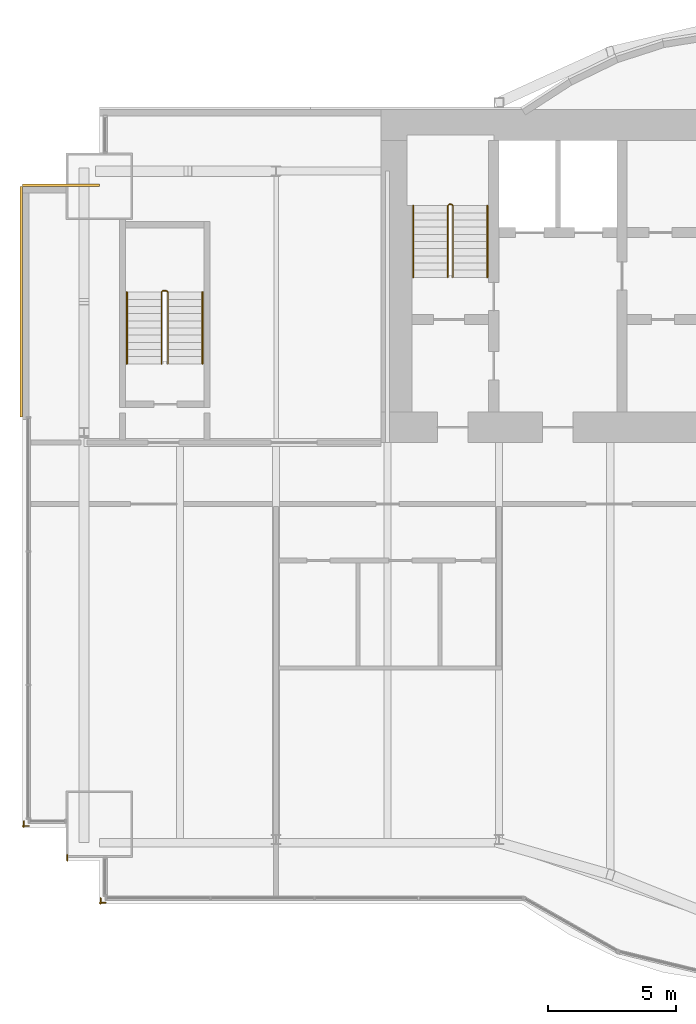
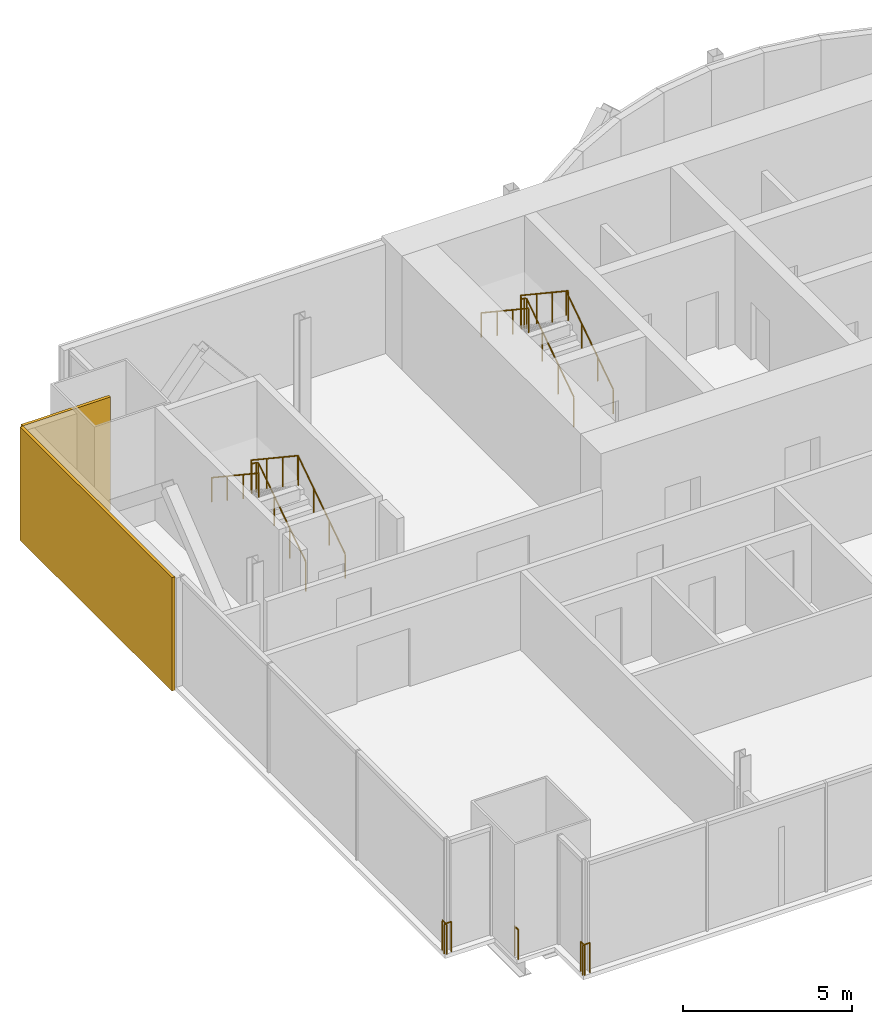
# One storey, part 18 of 20: 9 railings, 2 coverings.
"""IFC4 building model written with IfcOpenShell, lengths in metres."""

from ifc_helpers import new_model, si_unit, direction, frame, origin, origin_2d, place, context, subcontext, project, spatial, rectangle, circle, extrude, material, layer, layer_set, type_object, element, save


model = new_model("IFC4")

# Units and contexts
model_context = context("Model", 3, precision=1e-05, world=origin(), true_north=direction((0.0, 1.0)))
body_context = subcontext(model_context, "Body", "Model", "MODEL_VIEW")
ifc_project = project(units=[si_unit("LENGTHUNIT", "METRE"), si_unit("AREAUNIT", "SQUARE_METRE"), si_unit("VOLUMEUNIT", "CUBIC_METRE"), si_unit("PLANEANGLEUNIT", "RADIAN"), si_unit("MASSUNIT", "GRAM", prefix="KILO")], contexts=[model_context])

# Site, building, storey
site_placement = place(None, origin())
site = spatial("IfcSite", under=ifc_project, at=site_placement, CompositionType="ELEMENT")
building_placement = place(site_placement, origin())
building = spatial("IfcBuilding", under=site, at=building_placement, Name="Bicima Exchange Tower", CompositionType="ELEMENT")
storey_placement = place(building_placement, frame((0.0, 0.0, 227.800048828125)))
storey = spatial("IfcBuildingStorey", under=building, at=storey_placement, Name="L51", CompositionType="ELEMENT", Elevation=227.800048828125)

# Coverings
ifc_material_1 = material(Name="Bronze metal cladding")
ifc_layer_1 = layer(ifc_material_1, 0.004)
ifc_material_2 = material(Name="Ventilated cavity")
ifc_layer_2 = layer(ifc_material_2, 0.06)
ifc_material_3 = material(Name="Galvanised steel rail and mineral wool", Category="steel")
ifc_layer_3 = layer(ifc_material_3, 0.036)
ifc_layer_set = layer_set([ifc_layer_1, ifc_layer_2, ifc_layer_3], Name="Ventilated cavity")
covering_type = type_object("IfcCoveringType", Name="Bronze metal cladding panel 100", PredefinedType="CLADDING", material=ifc_layer_set)
covering_1_placement = place(storey_placement, frame((-34.5, -2.949951171875, -0.150146484375), z_axis=(0.0, 0.0, 1.0), x_axis=(-1.0, 0.0, 0.0)))
element("IfcCovering", 1, at=covering_1_placement, inside=storey, type_object=covering_type, Name="Bronze cladding L51 22.1", PredefinedType="CLADDING", context=body_context, shape_type="SweptSolid", body=[
    extrude(rectangle(XDim=3.0, YDim=0.10009765625, at=origin_2d()), origin(), (0.0, 0.0, 1.0), 4.10009765625),
])
covering_2_placement = place(storey_placement, frame((-36.050048828125, -7.5, -0.150146484375), z_axis=(0.0, 0.0, 1.0), x_axis=(0.0, -1.0, 0.0)))
element("IfcCovering", 2, at=covering_2_placement, inside=storey, type_object=covering_type, Name="Bronze cladding L51 23.1", PredefinedType="CLADDING", context=body_context, shape_type="SweptSolid", body=[
    extrude(rectangle(XDim=9.0, YDim=0.10009765625, at=origin_2d()), origin(), (0.0, 0.0, 1.0), 4.10009765625),
])

# Railings
ifc_material_4 = material(Name="Stainless steel and bonded safety glass", Category="steel")
railing_type_1 = type_object("IfcRailingType", Name="Edge guard 1100", PredefinedType="GUARDRAIL", material=ifc_material_4)
railing_1_placement = place(storey_placement, frame((-35.757080078125, -27.969970703125, 0.0)))
element("IfcRailing", 3, at=railing_1_placement, inside=storey, type_object=railing_type_1, Name="Edge guard L51 261", PredefinedType="GUARDRAIL", context=body_context, shape_type="SweptSolid", body=[
    extrude(circle(Radius=0.02392578125, at=origin_2d()), frame((0.0, 0.0, 1.076171875), z_axis=(-1.0, 0.0, 0.0), x_axis=(0.0, -1.0, 0.0)), (0.0, 0.0, 1.0), 0.242919921875),
    extrude(circle(Radius=0.02392578125, at=origin_2d()), frame((-0.242919921875, 0.0, 1.076171875), z_axis=(0.707106781187, -0.707106781187, 0.0), x_axis=(0.707106781187, 0.707106781187, 0.0)), (0.0, 0.0, 1.0), 0.07080078125),
    extrude(circle(Radius=0.02392578125, at=origin_2d()), frame((-0.19287109375, -0.050048828125, 1.076171875), z_axis=(0.0, 1.0, 0.0), x_axis=(-1.0, 0.0, 0.0)), (0.0, 0.0, 1.0), 0.248046875),
    extrude(circle(Radius=0.02099609375, at=origin_2d()), origin(), (0.0, 0.0, 1.0), 1.052001953125),
    extrude(circle(Radius=0.02099609375, at=origin_2d()), frame((-0.242919921875, 0.0, 0.0)), (0.0, 0.0, 1.0), 1.052001953125),
    extrude(circle(Radius=0.02099609375, at=origin_2d()), frame((-0.19287109375, -0.050048828125, 0.0)), (0.0, 0.0, 1.0), 1.052001953125),
    extrude(circle(Radius=0.02099609375, at=origin_2d()), frame((-0.19287109375, 0.197998046875, 0.0)), (0.0, 0.0, 1.0), 1.052001953125),
])
railing_2_placement = place(storey_placement, frame((-32.75, -30.969970703125, 0.0)))
element("IfcRailing", 4, at=railing_2_placement, inside=storey, type_object=railing_type_1, Name="Edge guard L51 265", PredefinedType="GUARDRAIL", context=body_context, shape_type="SweptSolid", body=[
    extrude(circle(Radius=0.02392578125, at=origin_2d()), frame((0.0, 0.0, 1.076171875), z_axis=(-1.0, 0.0, 0.0), x_axis=(0.0, -1.0, 0.0)), (0.0, 0.0, 1.0), 0.25),
    extrude(circle(Radius=0.02392578125, at=origin_2d()), frame((-0.25, 0.0, 1.076171875), z_axis=(0.707106781187, -0.707106781187, 0.0), x_axis=(0.707106781187, 0.707106781187, 0.0)), (0.0, 0.0, 1.0), 0.07080078125),
    extrude(circle(Radius=0.02392578125, at=origin_2d()), frame((-0.199951171875, -0.050048828125, 1.076171875), z_axis=(0.0, 1.0, 0.0), x_axis=(-1.0, 0.0, 0.0)), (0.0, 0.0, 1.0), 0.242919921875),
    extrude(circle(Radius=0.02099609375, at=origin_2d()), origin(), (0.0, 0.0, 1.0), 1.052001953125),
    extrude(circle(Radius=0.02099609375, at=origin_2d()), frame((-0.25, 0.0, 0.0)), (0.0, 0.0, 1.0), 1.052001953125),
    extrude(circle(Radius=0.02099609375, at=origin_2d()), frame((-0.199951171875, -0.050048828125, 0.0)), (0.0, 0.0, 1.0), 1.052001953125),
    extrude(circle(Radius=0.02099609375, at=origin_2d()), frame((-0.199951171875, 0.19287109375, 0.0)), (0.0, 0.0, 1.0), 1.052001953125),
])
railing_3_placement = place(storey_placement, frame((-34.25, -29.320068359375, 0.0)))
element("IfcRailing", 5, at=railing_3_placement, inside=storey, type_object=railing_type_1, Name="Edge guard L51 266", PredefinedType="GUARDRAIL", context=body_context, shape_type="SweptSolid", body=[
    extrude(circle(Radius=0.02392578125, at=origin_2d()), frame((0.0, 0.0, 1.076171875), z_axis=(0.0, 1.0, 0.0), x_axis=(-1.0, 0.0, 0.0)), (0.0, 0.0, 1.0), 0.217041015625),
    extrude(circle(Radius=0.02099609375, at=origin_2d()), origin(), (0.0, 0.0, 1.0), 1.052001953125),
    extrude(circle(Radius=0.02099609375, at=origin_2d()), frame((0.0, 0.217041015625, 0.0)), (0.0, 0.0, 1.0), 1.052001953125),
])
ifc_material_5 = material(Name="Stainless steel", Category="steel")
railing_type_2 = type_object("IfcRailingType", Name="Stair guard 1100", PredefinedType="GUARDRAIL", material=ifc_material_5)
railing_4_placement = place(storey_placement, frame((-19.199951171875, -6.550048828125, 0.186279296875)))
element("IfcRailing", 6, at=railing_4_placement, inside=storey, type_object=railing_type_2, Name="L51 ST-W stair guard 1", PredefinedType="GUARDRAIL", context=body_context, shape_type="SweptSolid", body=[
    extrude(circle(Radius=0.02392578125, at=origin_2d()), frame((0.0, 0.0, 1.076171875), z_axis=(0.0, 0.832452072856, 0.554097055034), x_axis=(-1.0, 0.0, 0.0)), (0.0, 0.0, 1.0), 3.363525390625),
    extrude(circle(Radius=0.02392578125, at=origin_2d()), frame((0.0, 2.800048828125, 2.93994140625), z_axis=(-0.707106781187, 0.707106781187, 0.0), x_axis=(-0.707106781187, -0.707106781187, 0.0)), (0.0, 0.0, 1.0), 0.07080078125),
    extrude(circle(Radius=0.02392578125, at=origin_2d()), frame((-0.050048828125, 2.85009765625, 2.93994140625), z_axis=(-1.0, 0.0, 0.0), x_axis=(0.0, -1.0, 0.0)), (0.0, 0.0, 1.0), 0.10009765625),
    extrude(circle(Radius=0.02392578125, at=origin_2d()), frame((-0.150146484375, 2.85009765625, 2.93994140625), z_axis=(-0.250008635948, -0.251234168477, 0.935081319748), x_axis=(0.708833529934, -0.705375805398, 0.0)), (0.0, 0.0, 1.0), 0.19921875),
    extrude(circle(Radius=0.02392578125, at=origin_2d()), frame((-0.199951171875, 2.800048828125, 3.1259765625), z_axis=(0.0, -0.832485552168, 0.554046753832), x_axis=(1.0, 0.0, 0.0)), (0.0, 0.0, 1.0), 3.363525390625),
    extrude(circle(Radius=0.02099609375, at=origin_2d()), origin(), (0.0, 0.0, 1.0), 1.052001953125),
    extrude(circle(Radius=0.02099609375, at=origin_2d()), frame((0.0, 0.933349609375, 0.621337890625)), (0.0, 0.0, 1.0), 1.052001953125),
    extrude(circle(Radius=0.02099609375, at=origin_2d()), frame((0.0, 1.86669921875, 1.242431640625)), (0.0, 0.0, 1.0), 1.052001953125),
    extrude(circle(Radius=0.02099609375, at=origin_2d()), frame((0.0, 2.800048828125, 1.86376953125)), (0.0, 0.0, 1.0), 1.052001953125),
    extrude(circle(Radius=0.02099609375, at=origin_2d()), frame((-0.050048828125, 2.85009765625, 1.86376953125)), (0.0, 0.0, 1.0), 1.052001953125),
    extrude(circle(Radius=0.02099609375, at=origin_2d()), frame((-0.150146484375, 2.85009765625, 1.86376953125)), (0.0, 0.0, 1.0), 1.052001953125),
    extrude(circle(Radius=0.02099609375, at=origin_2d()), frame((-0.199951171875, 2.800048828125, 2.050048828125)), (0.0, 0.0, 1.0), 1.052001953125),
    extrude(circle(Radius=0.02099609375, at=origin_2d()), frame((-0.199951171875, 1.86669921875, 2.671142578125)), (0.0, 0.0, 1.0), 1.052001953125),
    extrude(circle(Radius=0.02099609375, at=origin_2d()), frame((-0.199951171875, 0.933349609375, 3.29248046875)), (0.0, 0.0, 1.0), 1.052001953125),
    extrude(circle(Radius=0.02099609375, at=origin_2d()), frame((-0.199951171875, 0.0, 3.91357421875)), (0.0, 0.0, 1.0), 1.052001953125),
])
railing_5_placement = place(storey_placement, frame((-30.324951171875, -9.925048828125, 0.186279296875)))
element("IfcRailing", 7, at=railing_5_placement, inside=storey, type_object=railing_type_2, Name="L51 ST-WW stair guard 1", PredefinedType="GUARDRAIL", context=body_context, shape_type="SweptSolid", body=[
    extrude(circle(Radius=0.02392578125, at=origin_2d()), frame((0.0, 0.0, 1.076171875), z_axis=(0.0, 0.832452072856, 0.554097055034), x_axis=(-1.0, 0.0, 0.0)), (0.0, 0.0, 1.0), 3.363525390625),
    extrude(circle(Radius=0.02392578125, at=origin_2d()), frame((0.0, 2.800048828125, 2.93994140625), z_axis=(-0.707106781187, 0.707106781187, 0.0), x_axis=(-0.707106781187, -0.707106781187, 0.0)), (0.0, 0.0, 1.0), 0.07080078125),
    extrude(circle(Radius=0.02392578125, at=origin_2d()), frame((-0.050048828125, 2.85009765625, 2.93994140625), z_axis=(-1.0, 0.0, 0.0), x_axis=(0.0, -1.0, 0.0)), (0.0, 0.0, 1.0), 0.14990234375),
    extrude(circle(Radius=0.02392578125, at=origin_2d()), frame((-0.199951171875, 2.85009765625, 2.93994140625), z_axis=(-0.251157038772, -0.251157038772, 0.934794246747), x_axis=(0.707106781187, -0.707106781187, 0.0)), (0.0, 0.0, 1.0), 0.19921875),
    extrude(circle(Radius=0.02392578125, at=origin_2d()), frame((-0.25, 2.800048828125, 3.1259765625), z_axis=(0.0, -0.832485552168, 0.554046753832), x_axis=(1.0, 0.0, 0.0)), (0.0, 0.0, 1.0), 3.363525390625),
    extrude(circle(Radius=0.02099609375, at=origin_2d()), origin(), (0.0, 0.0, 1.0), 1.052001953125),
    extrude(circle(Radius=0.02099609375, at=origin_2d()), frame((0.0, 0.933349609375, 0.621337890625)), (0.0, 0.0, 1.0), 1.052001953125),
    extrude(circle(Radius=0.02099609375, at=origin_2d()), frame((0.0, 1.86669921875, 1.242431640625)), (0.0, 0.0, 1.0), 1.052001953125),
    extrude(circle(Radius=0.02099609375, at=origin_2d()), frame((0.0, 2.800048828125, 1.86376953125)), (0.0, 0.0, 1.0), 1.052001953125),
    extrude(circle(Radius=0.02099609375, at=origin_2d()), frame((-0.050048828125, 2.85009765625, 1.86376953125)), (0.0, 0.0, 1.0), 1.052001953125),
    extrude(circle(Radius=0.02099609375, at=origin_2d()), frame((-0.199951171875, 2.85009765625, 1.86376953125)), (0.0, 0.0, 1.0), 1.052001953125),
    extrude(circle(Radius=0.02099609375, at=origin_2d()), frame((-0.25, 2.800048828125, 2.050048828125)), (0.0, 0.0, 1.0), 1.052001953125),
    extrude(circle(Radius=0.02099609375, at=origin_2d()), frame((-0.25, 1.86669921875, 2.671142578125)), (0.0, 0.0, 1.0), 1.052001953125),
    extrude(circle(Radius=0.02099609375, at=origin_2d()), frame((-0.25, 0.933349609375, 3.29248046875)), (0.0, 0.0, 1.0), 1.052001953125),
    extrude(circle(Radius=0.02099609375, at=origin_2d()), frame((-0.25, 0.0, 3.91357421875)), (0.0, 0.0, 1.0), 1.052001953125),
])
railing_type_3 = type_object("IfcRailingType", Name="Stair handrail 900", PredefinedType="HANDRAIL", material=ifc_material_5)
railing_6_placement = place(storey_placement, frame((-17.85009765625, -6.550048828125, 0.186279296875)))
element("IfcRailing", 8, at=railing_6_placement, inside=storey, type_object=railing_type_3, Name="L51 ST-W stair handrail 1", PredefinedType="HANDRAIL", context=body_context, shape_type="SweptSolid", body=[
    extrude(circle(Radius=0.02392578125, at=origin_2d()), frame((0.0, 0.0, 0.8759765625), z_axis=(0.0, 0.832452072856, 0.554097055034), x_axis=(-1.0, 0.0, 0.0)), (0.0, 0.0, 1.0), 3.363525390625),
    extrude(circle(Radius=0.02099609375, at=origin_2d()), origin(), (0.0, 0.0, 1.0), 0.851806640625),
    extrude(circle(Radius=0.02099609375, at=origin_2d()), frame((0.0, 0.933349609375, 0.621337890625)), (0.0, 0.0, 1.0), 0.851806640625),
    extrude(circle(Radius=0.02099609375, at=origin_2d()), frame((0.0, 1.86669921875, 1.242431640625)), (0.0, 0.0, 1.0), 0.851806640625),
    extrude(circle(Radius=0.02099609375, at=origin_2d()), frame((0.0, 2.800048828125, 1.86376953125)), (0.0, 0.0, 1.0), 0.851806640625),
])
railing_7_placement = place(storey_placement, frame((-20.75, -3.75, 2.276611328125)))
element("IfcRailing", 9, at=railing_7_placement, inside=storey, type_object=railing_type_3, Name="L51 ST-W stair handrail 2", PredefinedType="HANDRAIL", context=body_context, shape_type="SweptSolid", body=[
    extrude(circle(Radius=0.02392578125, at=origin_2d()), frame((0.0, 0.0, 0.8759765625), z_axis=(0.0, -0.832452072856, 0.554097055034), x_axis=(1.0, 0.0, 0.0)), (0.0, 0.0, 1.0), 3.363525390625),
    extrude(circle(Radius=0.02099609375, at=origin_2d()), origin(), (0.0, 0.0, 1.0), 0.851806640625),
    extrude(circle(Radius=0.02099609375, at=origin_2d()), frame((0.0, -0.933349609375, 0.621337890625)), (0.0, 0.0, 1.0), 0.851806640625),
    extrude(circle(Radius=0.02099609375, at=origin_2d()), frame((0.0, -1.86669921875, 1.242431640625)), (0.0, 0.0, 1.0), 0.851806640625),
    extrude(circle(Radius=0.02099609375, at=origin_2d()), frame((0.0, -2.800048828125, 1.86376953125)), (0.0, 0.0, 1.0), 0.851806640625),
])
railing_8_placement = place(storey_placement, frame((-28.97509765625, -9.925048828125, 0.186279296875)))
element("IfcRailing", 10, at=railing_8_placement, inside=storey, type_object=railing_type_3, Name="L51 ST-WW stair handrail 1", PredefinedType="HANDRAIL", context=body_context, shape_type="SweptSolid", body=[
    extrude(circle(Radius=0.02392578125, at=origin_2d()), frame((0.0, 0.0, 0.8759765625), z_axis=(0.0, 0.832452072856, 0.554097055034), x_axis=(-1.0, 0.0, 0.0)), (0.0, 0.0, 1.0), 3.363525390625),
    extrude(circle(Radius=0.02099609375, at=origin_2d()), origin(), (0.0, 0.0, 1.0), 0.851806640625),
    extrude(circle(Radius=0.02099609375, at=origin_2d()), frame((0.0, 0.933349609375, 0.621337890625)), (0.0, 0.0, 1.0), 0.851806640625),
    extrude(circle(Radius=0.02099609375, at=origin_2d()), frame((0.0, 1.86669921875, 1.242431640625)), (0.0, 0.0, 1.0), 0.851806640625),
    extrude(circle(Radius=0.02099609375, at=origin_2d()), frame((0.0, 2.800048828125, 1.86376953125)), (0.0, 0.0, 1.0), 0.851806640625),
])
railing_9_placement = place(storey_placement, frame((-31.925048828125, -7.125, 2.276611328125)))
element("IfcRailing", 11, at=railing_9_placement, inside=storey, type_object=railing_type_3, Name="L51 ST-WW stair handrail 2", PredefinedType="HANDRAIL", context=body_context, shape_type="SweptSolid", body=[
    extrude(circle(Radius=0.02392578125, at=origin_2d()), frame((0.0, 0.0, 0.8759765625), z_axis=(0.0, -0.832452072856, 0.554097055034), x_axis=(1.0, 0.0, 0.0)), (0.0, 0.0, 1.0), 3.363525390625),
    extrude(circle(Radius=0.02099609375, at=origin_2d()), origin(), (0.0, 0.0, 1.0), 0.851806640625),
    extrude(circle(Radius=0.02099609375, at=origin_2d()), frame((0.0, -0.933349609375, 0.621337890625)), (0.0, 0.0, 1.0), 0.851806640625),
    extrude(circle(Radius=0.02099609375, at=origin_2d()), frame((0.0, -1.86669921875, 1.242431640625)), (0.0, 0.0, 1.0), 0.851806640625),
    extrude(circle(Radius=0.02099609375, at=origin_2d()), frame((0.0, -2.800048828125, 1.86376953125)), (0.0, 0.0, 1.0), 0.851806640625),
])

save(model, "model.ifc")
